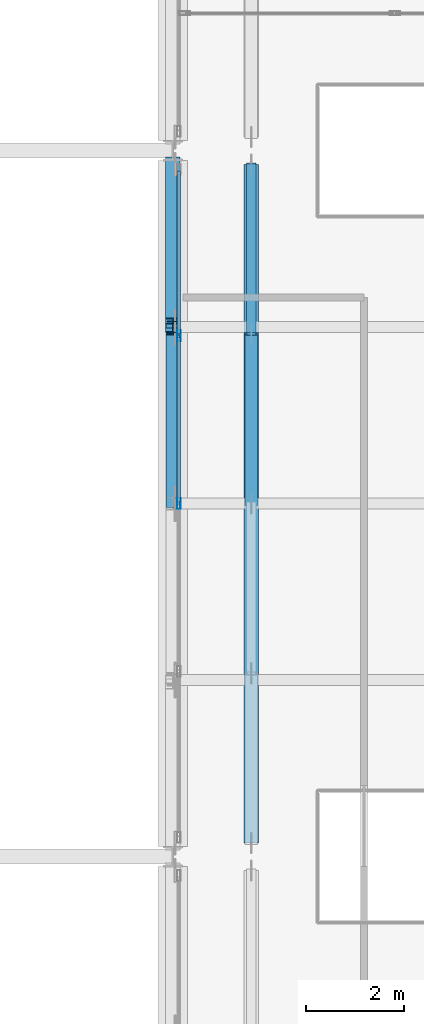
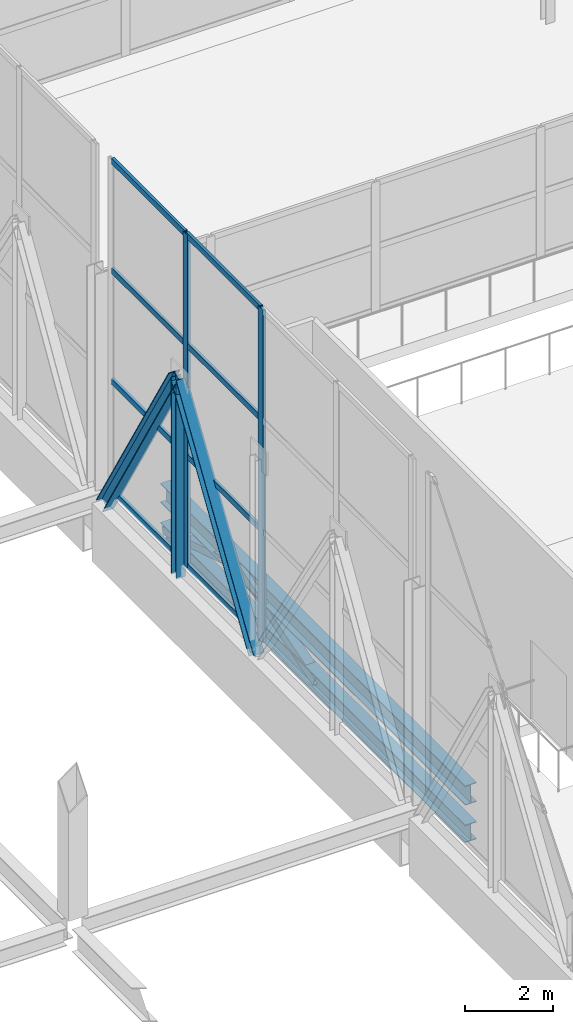
# One storey, part 39 of 191: 15 members, 2 beams, 1 element without a shape of its own.
"""IFC4 building model written with IfcOpenShell, lengths in metres."""

from ifc_helpers import new_model, si_unit, direction, frame, origin, origin_2d, place, context, subcontext, project, spatial, hollow_rectangle, i_section, extrude, material, layer, layer_set, material_profile, profile_set, type_object, element, aggregate, save


model = new_model("IFC4")

# Units and contexts
model_context = context("Model", 3, precision=1e-05, world=origin(), true_north=direction((0.0, 1.0)))
body_context = subcontext(model_context, "Body", "Model", "MODEL_VIEW")
ifc_project = project(units=[si_unit("LENGTHUNIT", "METRE"), si_unit("AREAUNIT", "SQUARE_METRE"), si_unit("VOLUMEUNIT", "CUBIC_METRE"), si_unit("PLANEANGLEUNIT", "RADIAN"), si_unit("MASSUNIT", "GRAM", prefix="KILO")], contexts=[model_context])

# Site, building, storey
site_placement = place(None, origin())
site = spatial("IfcSite", under=ifc_project, at=site_placement, CompositionType="ELEMENT")
building_placement = place(site_placement, origin())
building = spatial("IfcBuilding", under=site, at=building_placement, Name="Tamarisk Ironworks Central Station", CompositionType="ELEMENT")
storey_placement = place(building_placement, frame((0.0, 0.0, 6.60009765625)))
storey = spatial("IfcBuildingStorey", under=building, at=storey_placement, Name="L01", CompositionType="ELEMENT", Elevation=6.60009765625)

# Beams
ifc_material_1 = material(Name="Structural steel S355J2", Category="steel")
ifc_material_profile_1 = material_profile(ifc_material_1, i_section(OverallWidth=0.300048828125, OverallDepth=0.5400390625, WebThickness=0.012451171875, FlangeThickness=0.02392578125, at=origin_2d()), Name="HEA 550")
ifc_profile_set_1 = profile_set([ifc_material_profile_1], Name="Structural steel S355J2")
beam_type_1 = type_object("IfcBeamType", Name="BM-G04", PredefinedType="BEAM", material=ifc_profile_set_1)
beam_1_placement = place(storey_placement, frame((55.60009765625, 50.679931640625, -0.580078125), z_axis=(0.0, 1.0, 0.0), x_axis=(-1.0, 0.0, 0.0)))
element("IfcBeam", 1, at=beam_1_placement, inside=storey, type_object=beam_type_1, Name="Bridge deck transfer stiffening chord 126", PredefinedType="BEAM", context=body_context, shape_type="SweptSolid", body=[
    extrude(i_section(OverallWidth=0.300048828125, OverallDepth=0.5400390625, WebThickness=0.012451171875, FlangeThickness=0.02392578125, at=origin_2d()), origin(), (0.0, 0.0, 1.0), 13.840087890625),
])
ifc_material_profile_2 = material_profile(ifc_material_1, i_section(OverallWidth=0.300048828125, OverallDepth=0.489990234375, WebThickness=0.011962890625, FlangeThickness=0.02294921875, at=origin_2d()), Name="HEA 500")
ifc_profile_set_2 = profile_set([ifc_material_profile_2], Name="Structural steel S355J2")
beam_type_2 = type_object("IfcBeamType", Name="BM-G05", PredefinedType="BEAM", material=ifc_profile_set_2)
beam_2_placement = place(storey_placement, frame((55.60009765625, 50.679931640625, -1.64013671875), z_axis=(0.0, 1.0, 0.0), x_axis=(-1.0, 0.0, 0.0)))
element("IfcBeam", 2, at=beam_2_placement, inside=storey, type_object=beam_type_2, Name="Bridge deck transfer stiffening chord 125", PredefinedType="BEAM", context=body_context, shape_type="SweptSolid", body=[
    extrude(i_section(OverallWidth=0.300048828125, OverallDepth=0.489990234375, WebThickness=0.011962890625, FlangeThickness=0.02294921875, at=origin_2d()), origin(), (0.0, 0.0, 1.0), 13.840087890625),
])

# Curtain wall, members
ifc_material_2 = material(Name="Anodized aluminium alloy 6063-T6", Category="aluminium")
ifc_layer = layer(ifc_material_2, 0.179931640625)
ifc_layer_set = layer_set([ifc_layer], Name="Anodized aluminium alloy 6063-T6")
curtain_wall_type = type_object("IfcCurtainWallType", Name="CW-06", PredefinedType="USERDEFINED", material=ifc_layer_set)
curtain_wall_placement = place(storey_placement, origin())
curtain_wall = element("IfcCurtainWall", 3, at=curtain_wall_placement, inside=storey, type_object=curtain_wall_type, Name="Concourse W track-overlook curtain wall 04", ObjectType="GLAZED CURTAIN WALL", PredefinedType="USERDEFINED")
ifc_material_profile_3 = material_profile(ifc_material_2, hollow_rectangle(XDim=0.074951171875, YDim=0.219970703125, WallThickness=0.00390625, at=origin_2d()), Name="ALUM 220x75")
ifc_profile_set_3 = profile_set([ifc_material_profile_3], Name="Anodized aluminium alloy 6063-T6")
member_type_1 = type_object("IfcMemberType", Name="CWM-01", PredefinedType="MULLION", material=ifc_profile_set_3)
member_1_placement = place(storey_placement, frame((54.1201171875, 57.60009765625, 0.0), z_axis=(0.0, 0.0, 1.0), x_axis=(-1.0, 0.0, 0.0)))
member_1 = element("IfcMember", 4, at=member_1_placement, type_object=member_type_1, Name="CW06 mullion 3", PredefinedType="MULLION", context=body_context, shape_type="SweptSolid", body=[
    extrude(hollow_rectangle(XDim=0.074951171875, YDim=0.219970703125, WallThickness=0.00390625, at=origin_2d()), origin(), (0.0, 0.0, 1.0), 9.219970703125),
])
member_2_placement = place(storey_placement, frame((54.1201171875, 61.02490234375, 0.0), z_axis=(0.0, 0.0, 1.0), x_axis=(-1.0, 0.0, 0.0)))
member_2 = element("IfcMember", 5, at=member_2_placement, type_object=member_type_1, Name="CW06 mullion 4", PredefinedType="MULLION", context=body_context, shape_type="SweptSolid", body=[
    extrude(hollow_rectangle(XDim=0.074951171875, YDim=0.219970703125, WallThickness=0.00390625, at=origin_2d()), origin(), (0.0, 0.0, 1.0), 9.219970703125),
])
ifc_material_profile_4 = material_profile(ifc_material_2, hollow_rectangle(XDim=0.074951171875, YDim=0.159912109375, WallThickness=0.00390625, at=origin_2d()), Name="ALUM 160x75")
ifc_profile_set_4 = profile_set([ifc_material_profile_4], Name="Anodized aluminium alloy 6063-T6")
member_type_2 = type_object("IfcMemberType", Name="CWT-01", PredefinedType="USERDEFINED", material=ifc_profile_set_4)
member_3_placement = place(storey_placement, frame((54.1201171875, 57.633544921875, 0.037353515625), z_axis=(0.0, 1.0, 0.0), x_axis=(-1.0, 0.0, 0.0)))
member_3 = element("IfcMember", 6, at=member_3_placement, type_object=member_type_2, Name="CW06 transom 3.1", ObjectType="TRANSOM", PredefinedType="USERDEFINED", context=body_context, shape_type="SweptSolid", body=[
    extrude(hollow_rectangle(XDim=0.074951171875, YDim=0.159912109375, WallThickness=0.00390625, at=origin_2d()), origin(), (0.0, 0.0, 1.0), 3.35791015625),
])
member_4_placement = place(storey_placement, frame((54.1201171875, 57.633544921875, 3.0732421875), z_axis=(0.0, 1.0, 0.0), x_axis=(-1.0, 0.0, 0.0)))
member_4 = element("IfcMember", 7, at=member_4_placement, type_object=member_type_2, Name="CW06 transom 3.2", ObjectType="TRANSOM", PredefinedType="USERDEFINED", context=body_context, shape_type="SweptSolid", body=[
    extrude(hollow_rectangle(XDim=0.074951171875, YDim=0.159912109375, WallThickness=0.00390625, at=origin_2d()), origin(), (0.0, 0.0, 1.0), 3.35791015625),
])
member_5_placement = place(storey_placement, frame((54.1201171875, 57.633544921875, 6.146484375), z_axis=(0.0, 1.0, 0.0), x_axis=(-1.0, 0.0, 0.0)))
member_5 = element("IfcMember", 8, at=member_5_placement, type_object=member_type_2, Name="CW06 transom 3.3", ObjectType="TRANSOM", PredefinedType="USERDEFINED", context=body_context, shape_type="SweptSolid", body=[
    extrude(hollow_rectangle(XDim=0.074951171875, YDim=0.159912109375, WallThickness=0.00390625, at=origin_2d()), origin(), (0.0, 0.0, 1.0), 3.35791015625),
])
member_6_placement = place(storey_placement, frame((54.1201171875, 57.633544921875, 9.182373046875), z_axis=(0.0, 1.0, 0.0), x_axis=(-1.0, 0.0, 0.0)))
member_6 = element("IfcMember", 9, at=member_6_placement, type_object=member_type_2, Name="CW06 transom 3.4", ObjectType="TRANSOM", PredefinedType="USERDEFINED", context=body_context, shape_type="SweptSolid", body=[
    extrude(hollow_rectangle(XDim=0.074951171875, YDim=0.159912109375, WallThickness=0.00390625, at=origin_2d()), origin(), (0.0, 0.0, 1.0), 3.35791015625),
])
member_7_placement = place(storey_placement, frame((54.1201171875, 61.05859375, 0.037353515625), z_axis=(0.0, 1.0, 0.0), x_axis=(-1.0, 0.0, 0.0)))
member_7 = element("IfcMember", 10, at=member_7_placement, type_object=member_type_2, Name="CW06 transom 4.1", ObjectType="TRANSOM", PredefinedType="USERDEFINED", context=body_context, shape_type="SweptSolid", body=[
    extrude(hollow_rectangle(XDim=0.074951171875, YDim=0.159912109375, WallThickness=0.00390625, at=origin_2d()), origin(), (0.0, 0.0, 1.0), 3.3203125),
])
member_8_placement = place(storey_placement, frame((54.1201171875, 61.05859375, 3.0732421875), z_axis=(0.0, 1.0, 0.0), x_axis=(-1.0, 0.0, 0.0)))
member_8 = element("IfcMember", 11, at=member_8_placement, type_object=member_type_2, Name="CW06 transom 4.2", ObjectType="TRANSOM", PredefinedType="USERDEFINED", context=body_context, shape_type="SweptSolid", body=[
    extrude(hollow_rectangle(XDim=0.074951171875, YDim=0.159912109375, WallThickness=0.00390625, at=origin_2d()), origin(), (0.0, 0.0, 1.0), 3.3203125),
])
member_9_placement = place(storey_placement, frame((54.1201171875, 61.05859375, 6.146484375), z_axis=(0.0, 1.0, 0.0), x_axis=(-1.0, 0.0, 0.0)))
member_9 = element("IfcMember", 12, at=member_9_placement, type_object=member_type_2, Name="CW06 transom 4.3", ObjectType="TRANSOM", PredefinedType="USERDEFINED", context=body_context, shape_type="SweptSolid", body=[
    extrude(hollow_rectangle(XDim=0.074951171875, YDim=0.159912109375, WallThickness=0.00390625, at=origin_2d()), origin(), (0.0, 0.0, 1.0), 3.3203125),
])
member_10_placement = place(storey_placement, frame((54.1201171875, 61.05859375, 9.182373046875), z_axis=(0.0, 1.0, 0.0), x_axis=(-1.0, 0.0, 0.0)))
member_10 = element("IfcMember", 13, at=member_10_placement, type_object=member_type_2, Name="CW06 transom 4.4", ObjectType="TRANSOM", PredefinedType="USERDEFINED", context=body_context, shape_type="SweptSolid", body=[
    extrude(hollow_rectangle(XDim=0.074951171875, YDim=0.159912109375, WallThickness=0.00390625, at=origin_2d()), origin(), (0.0, 0.0, 1.0), 3.3203125),
])
aggregate(curtain_wall, [member_1, member_2, member_3, member_4, member_5, member_6, member_7, member_8, member_9, member_10])

# Members
ifc_material_3 = material(Name="Structural steel S355J2H", Category="steel")
ifc_material_profile_5 = material_profile(ifc_material_3, hollow_rectangle(XDim=0.25, YDim=0.25, WallThickness=0.012451171875, at=origin_2d()), Name="SHS 250x250x12.5")
ifc_profile_set_5 = profile_set([ifc_material_profile_5], Name="Structural steel S355J2H")
member_type_3 = type_object("IfcMemberType", Name="MB-BR01", PredefinedType="BRACE", material=ifc_profile_set_5)
member_11_placement = place(storey_placement, frame((55.60009765625, 57.60009765625, -1.64013671875), z_axis=(0.0, 0.956131332595, 0.292938346467), x_axis=(-1.0, 0.0, 0.0)))
element("IfcMember", 14, at=member_11_placement, inside=storey, type_object=member_type_3, Name="Bridge deck stiffening web brace 129", PredefinedType="BRACE", context=body_context, shape_type="SweptSolid", body=[
    extrude(hollow_rectangle(XDim=0.25, YDim=0.25, WallThickness=0.012451171875, at=origin_2d()), origin(), (0.0, 0.0, 1.0), 3.61865234375),
])
ifc_material_profile_6 = material_profile(ifc_material_3, hollow_rectangle(XDim=0.199951171875, YDim=0.199951171875, WallThickness=0.010009765625, at=origin_2d()), Name="SHS 200x200x10")
ifc_profile_set_6 = profile_set([ifc_material_profile_6], Name="Structural steel S355J2H")
member_type_4 = type_object("IfcMemberType", Name="MB-BR02", PredefinedType="BRACE", material=ifc_profile_set_6)
member_12_placement = place(storey_placement, frame((55.60009765625, 61.06005859375, -0.580078125), z_axis=(0.0, 0.956131332595, -0.292938346467), x_axis=(-1.0, 0.0, 0.0)))
element("IfcMember", 15, at=member_12_placement, inside=storey, type_object=member_type_4, Name="Bridge deck stiffening web brace 130", PredefinedType="BRACE", context=body_context, shape_type="SweptSolid", body=[
    extrude(hollow_rectangle(XDim=0.199951171875, YDim=0.199951171875, WallThickness=0.010009765625, at=origin_2d()), origin(), (0.0, 0.0, 1.0), 3.61865234375),
])
ifc_material_profile_7 = material_profile(ifc_material_1, i_section(OverallWidth=0.300048828125, OverallDepth=0.340087890625, WebThickness=0.011962890625, FlangeThickness=0.021484375, at=origin_2d()), Name="HEB 340")
ifc_profile_set_7 = profile_set([ifc_material_profile_7], Name="Structural steel S355J2")
member_type_5 = type_object("IfcMemberType", Name="MB-TTD01", PredefinedType="BRACE", material=ifc_profile_set_7)
member_13_placement = place(storey_placement, frame((54.0, 61.239990234375, 5.119873046875), z_axis=(0.0, 0.512200847378, -0.858865700762), x_axis=(-1.0, 0.0, 0.0)))
element("IfcMember", 16, at=member_13_placement, inside=storey, type_object=member_type_5, Name="Transfer truss diagonal 020", PredefinedType="BRACE", context=body_context, shape_type="SweptSolid", body=[
    extrude(i_section(OverallWidth=0.300048828125, OverallDepth=0.340087890625, WebThickness=0.011962890625, FlangeThickness=0.021484375, at=origin_2d()), origin(), (0.0, 0.0, 1.0), 6.40380859375),
])
ifc_material_profile_8 = material_profile(ifc_material_1, i_section(OverallWidth=0.280029296875, OverallDepth=0.280029296875, WebThickness=0.010498046875, FlangeThickness=0.01806640625, at=origin_2d()), Name="HEB 280")
ifc_profile_set_8 = profile_set([ifc_material_profile_8], Name="Structural steel S355J2")
member_type_6 = type_object("IfcMemberType", Name="MB-TTD02", PredefinedType="BRACE", material=ifc_profile_set_8)
member_14_placement = place(storey_placement, frame((54.0, 57.639892578125, -0.380126953125), z_axis=(0.0, 0.539055818311, 0.842270042649), x_axis=(-1.0, 0.0, 0.0)))
element("IfcMember", 17, at=member_14_placement, inside=storey, type_object=member_type_6, Name="Transfer truss diagonal 018", PredefinedType="BRACE", context=body_context, shape_type="SweptSolid", body=[
    extrude(i_section(OverallWidth=0.280029296875, OverallDepth=0.280029296875, WebThickness=0.010498046875, FlangeThickness=0.01806640625, at=origin_2d()), origin(), (0.0, 0.0, 1.0), 6.530029296875),
])
ifc_material_profile_9 = material_profile(ifc_material_1, i_section(OverallWidth=0.239990234375, OverallDepth=0.239990234375, WebThickness=0.010009765625, FlangeThickness=0.01708984375, at=origin_2d()), Name="HEB 240")
ifc_profile_set_9 = profile_set([ifc_material_profile_9], Name="Structural steel S355J2")
member_type_7 = type_object("IfcMemberType", Name="MB-TTP02", PredefinedType="POST", material=ifc_profile_set_9)
member_15_placement = place(storey_placement, frame((54.0, 61.199951171875, -0.340087890625), z_axis=(0.0, 0.0, 1.0), x_axis=(1.0, 0.0, 0.0)))
element("IfcMember", 18, at=member_15_placement, inside=storey, type_object=member_type_7, Name="Transfer truss vertical post 021", PredefinedType="POST", context=body_context, shape_type="SweptSolid", body=[
    extrude(i_section(OverallWidth=0.239990234375, OverallDepth=0.239990234375, WebThickness=0.010009765625, FlangeThickness=0.01708984375, at=origin_2d()), origin(), (0.0, 0.0, 1.0), 5.4599609375),
])

save(model, "model.ifc")
